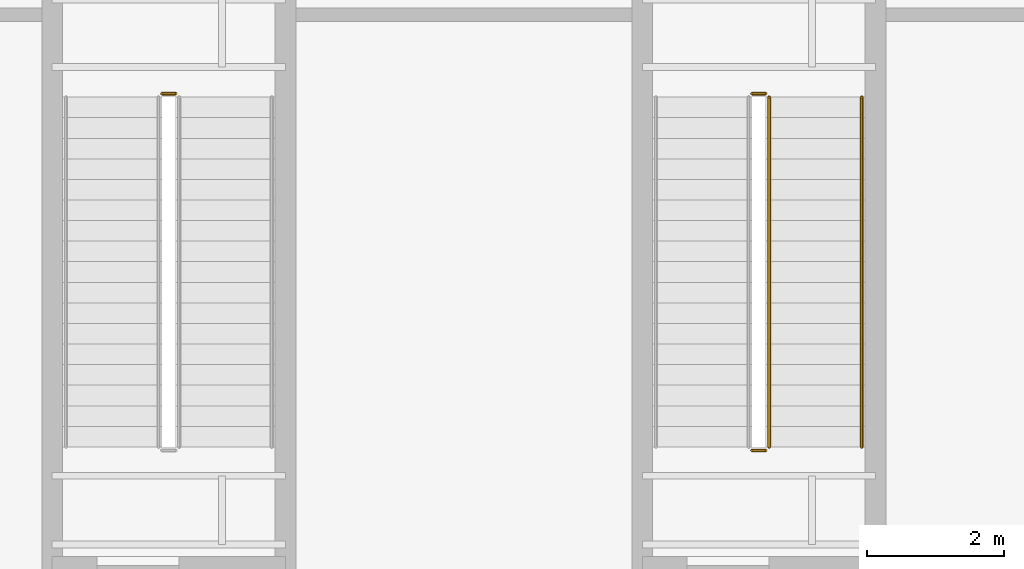
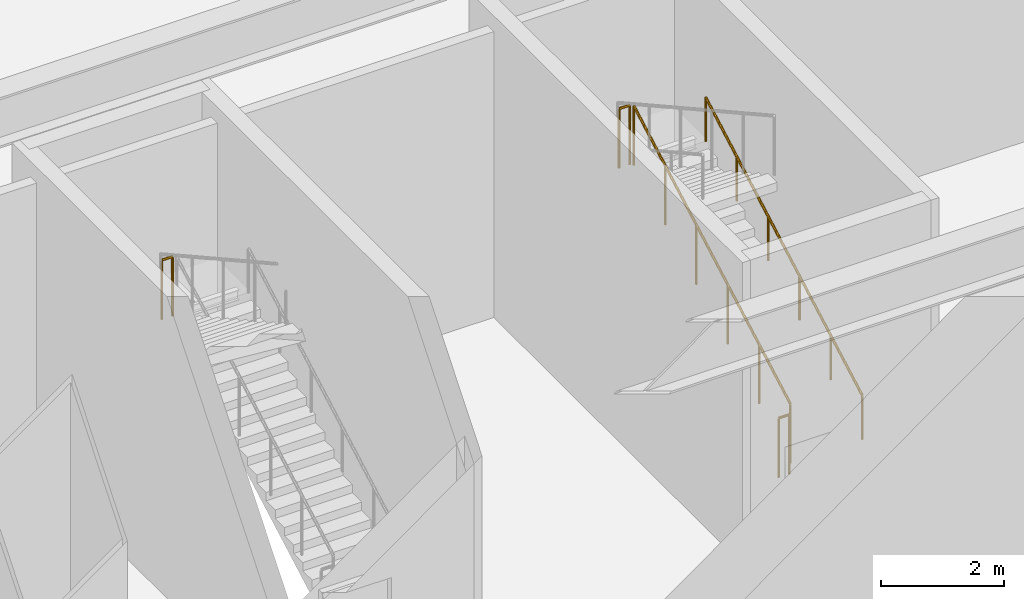
# One storey, part 15 of 20: 5 railings.
"""IFC4 building model written with IfcOpenShell, lengths in metres."""

import ifcopenshell
import ifcopenshell.guid

model = None  # the IFC model being written
_history = None  # IfcOwnerHistory: only IFC2X3 demands one
_inside = {}  # id of a spatial element -> (the spatial element, [elements in it])
_under = {}  # id of a project, library or spatial element -> (it, [spatial elements below it])
_declared = {}  # id of a project -> (the project, [libraries it declares])
_typed = {}  # id of a type object -> (the type object, [elements of that type])
_made_of = {}  # id of a material, layer set ... -> (it, [elements and type objects made of it])


def new_model(schema):
    """Start an empty IFC model of exactly this schema.

    Asked for "IFC4X3", IfcOpenShell would pick the latest addendum, in which some entities
    have other attributes; the version numbers below select the first issue.
    IFC2X3 requires an IfcOwnerHistory on every rooted entity: one is made here for all.
    """
    global model, _history
    if schema == "IFC4X3":
        model = ifcopenshell.file(schema_version=(4, 3, 0, 0))
    else:
        model = ifcopenshell.file(schema=schema)
    _inside.clear()
    _under.clear()
    _declared.clear()
    _typed.clear()
    _made_of.clear()
    _history = None
    if model.schema == "IFC2X3":
        org = make("IfcOrganization", Name="unknown")
        user = make(
            "IfcPersonAndOrganization",
            ThePerson=make("IfcPerson", FamilyName="unknown"),
            TheOrganization=org,
        )
        app = make(
            "IfcApplication",
            ApplicationDeveloper=org,
            Version="unknown",
            ApplicationFullName="unknown",
            ApplicationIdentifier="unknown",
        )
        _history = make(
            "IfcOwnerHistory",
            OwningUser=user,
            OwningApplication=app,
            ChangeAction="ADDED",
            CreationDate=0,
        )
    return model


def make(cls, **values):
    """One entity of the class cls with the attributes given. An attribute that is None is left unset."""
    return model.create_entity(
        cls, **{name: value for name, value in values.items() if value is not None}
    )


def rooted(cls, **values):
    """An entity with a GlobalId (a new one), such as an element, a storey or a relation."""
    return make(cls, GlobalId=ifcopenshell.guid.new(), OwnerHistory=_history, **values)


def si_unit(unit_type, name, prefix=None):
    """IfcSIUnit, for example si_unit("LENGTHUNIT", "METRE", prefix="MILLI")."""
    return make("IfcSIUnit", UnitType=unit_type, Prefix=prefix, Name=name)


def assignment(units):
    """IfcUnitAssignment: the units of a project."""
    return None if units is None else make("IfcUnitAssignment", Units=units)


def point(xyz):
    """IfcCartesianPoint."""
    return None if xyz is None else make("IfcCartesianPoint", Coordinates=xyz)


def direction(xyz):
    """IfcDirection."""
    return None if xyz is None else make("IfcDirection", DirectionRatios=xyz)


def frame(location, z_axis=None, x_axis=None):
    """IfcAxis2Placement3D, a coordinate frame: its origin and axes. An axis left out is left unset."""
    return make(
        "IfcAxis2Placement3D",
        Location=point(location),
        Axis=direction(z_axis),
        RefDirection=direction(x_axis),
    )


def frame_2d(location, x_axis=None):
    """IfcAxis2Placement2D, a coordinate frame in the plane: its origin and x axis."""
    return make(
        "IfcAxis2Placement2D", Location=point(location), RefDirection=direction(x_axis)
    )


def origin():
    """The frame at (0, 0, 0) with its axes left unset."""
    return frame((0.0, 0.0, 0.0))


def origin_2d():
    """The frame at (0, 0) in the plane with its x axis left unset."""
    return frame_2d((0.0, 0.0))


def place(relative_to, where):
    """IfcLocalPlacement: puts the frame where relative to a parent placement (None: the world)."""
    return make(
        "IfcLocalPlacement", PlacementRelTo=relative_to, RelativePlacement=where
    )


def context(
    kind, dimensions, precision=None, world=None, true_north=None, identifier=None
):
    """IfcGeometricRepresentationContext, for example the 3D "Model" context."""
    return make(
        "IfcGeometricRepresentationContext",
        ContextIdentifier=identifier,
        ContextType=kind,
        CoordinateSpaceDimension=dimensions,
        Precision=precision,
        WorldCoordinateSystem=world,
        TrueNorth=true_north,
    )


def subcontext(parent, identifier, kind, view, scale=None):
    """IfcGeometricRepresentationSubContext, for example "Body" below "Model"."""
    return make(
        "IfcGeometricRepresentationSubContext",
        ContextIdentifier=identifier,
        ContextType=kind,
        ParentContext=parent,
        TargetScale=scale,
        TargetView=view,
    )


def project(units=None, contexts=None):
    """IfcProject with its units and contexts."""
    return rooted(
        "IfcProject",
        Name="project",
        RepresentationContexts=contexts,
        UnitsInContext=assignment(units),
    )


def spatial(cls, under=None, at=None, **own):
    """A site, building, storey or space (cls), placed at a placement, below another one or the project."""
    s = rooted(cls, ObjectPlacement=at, **own)
    if under is not None:
        _under.setdefault(under.id(), (under, []))[1].append(s)
    return s


def profile(cls, at=None, kind="AREA", **sizes):
    """A parametric profile (cls). Its sizes go by their IFC names, for example OverallWidth=200.0."""
    return make(cls, ProfileType=kind, Position=at, **sizes)


def circle(**sizes):
    """IfcCircleProfileDef."""
    return profile("IfcCircleProfileDef", **sizes)


def extrude(swept, where, along, depth):
    """IfcExtrudedAreaSolid: the profile swept, set in the frame where, extruded along a direction by depth."""
    return make(
        "IfcExtrudedAreaSolid",
        SweptArea=swept,
        Position=where,
        ExtrudedDirection=direction(along),
        Depth=depth,
    )


def shape(context_of_items, identifier, shape_type, items):
    """IfcShapeRepresentation: the items that make up one representation, for example the "Body"."""
    return make(
        "IfcShapeRepresentation",
        ContextOfItems=context_of_items,
        RepresentationIdentifier=identifier,
        RepresentationType=shape_type,
        Items=items,
    )


def material(Name=None, Category=None):
    """IfcMaterial."""
    return make("IfcMaterial", Name=Name, Category=Category)


def made_of(thing, what):
    """Note that an element or type object is made of a material, layer set ...; save() writes the relation."""
    if what is not None:
        _made_of.setdefault(what.id(), (what, []))[1].append(thing)
    return thing


def type_object(cls, material=None, **own):
    """A type object (cls), such as IfcWallType, which elements share."""
    return made_of(rooted(cls, **own), material)


def element(
    cls,
    number,
    at=None,
    inside=None,
    cuts=None,
    type_object=None,
    material=None,
    context=None,
    identifier="Body",
    shape_type=None,
    held_by="IfcProductDefinitionShape",
    body=None,
    shapes=None,
    **own,
):
    """One element of the class cls, such as IfcWall. Its Tag is "e" and its number.

    at: its placement. inside: the storey or other place that contains it. cuts: it is an
    opening in that element (IfcRelVoidsElement). A single representation is given by context,
    identifier, shape_type and body (its items); several are given by shapes. held_by: the class
    of the entity that holds the representations. save() writes the other relations.
    """
    e = rooted(cls, Tag="e%d" % number, ObjectPlacement=at, **own)
    if body is not None:
        shapes = [shape(context, identifier, shape_type, body)]
    if shapes is not None:
        e.Representation = make(held_by, Representations=shapes)
    if inside is not None:
        _inside.setdefault(inside.id(), (inside, []))[1].append(e)
    if cuts is not None:
        rooted(
            "IfcRelVoidsElement", RelatingBuildingElement=cuts, RelatedOpeningElement=e
        )
    if type_object is not None:
        _typed.setdefault(type_object.id(), (type_object, []))[1].append(e)
    return made_of(e, material)


def aggregate(whole, parts):
    """IfcRelAggregates: a whole, such as a stair, and the parts it consists of."""
    return rooted("IfcRelAggregates", RelatingObject=whole, RelatedObjects=parts)


def save(model, path):
    """Write the relations noted so far, then the file.

    IfcRelAggregates (storeys below a building ...), IfcRelContainedInSpatialStructure (elements
    in a storey), IfcRelDefinesByType, IfcRelAssociatesMaterial and IfcRelDeclares: one each for
    every whole, place, type object, material and project.
    """
    for whole, parts in _under.values():
        aggregate(whole, parts)
    for where, things in _inside.values():
        rooted(
            "IfcRelContainedInSpatialStructure",
            RelatedElements=things,
            RelatingStructure=where,
        )
    for kind, things in _typed.values():
        rooted("IfcRelDefinesByType", RelatedObjects=things, RelatingType=kind)
    for what, things in _made_of.values():
        rooted("IfcRelAssociatesMaterial", RelatedObjects=things, RelatingMaterial=what)
    for by, libraries in _declared.values():
        rooted("IfcRelDeclares", RelatingContext=by, RelatedDefinitions=libraries)
    model.write(path)


model = new_model("IFC4")

# Units and contexts
model_context = context("Model", 3, precision=1e-05, world=origin(), true_north=direction((0.0, 1.0)))
body_context = subcontext(model_context, "Body", "Model", "MODEL_VIEW")
ifc_project = project(units=[si_unit("LENGTHUNIT", "METRE"), si_unit("AREAUNIT", "SQUARE_METRE"), si_unit("VOLUMEUNIT", "CUBIC_METRE"), si_unit("PLANEANGLEUNIT", "RADIAN"), si_unit("MASSUNIT", "GRAM", prefix="KILO")], contexts=[model_context])

# Site, building, storey
site_placement = place(None, origin())
site = spatial("IfcSite", under=ifc_project, at=site_placement, CompositionType="ELEMENT")
building_placement = place(site_placement, origin())
building = spatial("IfcBuilding", under=site, at=building_placement, Name="Qiaolan Cultural Towers", CompositionType="ELEMENT")
storey_placement = place(building_placement, frame((0.0, 0.0, -6.0)))
storey = spatial("IfcBuildingStorey", under=building, at=storey_placement, Name="B1", CompositionType="ELEMENT", Elevation=-6.0)

# Railings
ifc_material_1 = material(Name="Galvanized Painted Steel Stair Guardrail", Category="steel")
railing_type_1 = type_object("IfcRailingType", Name="RL-STAIR-GRD", PredefinedType="GUARDRAIL", material=ifc_material_1)
railing_1_placement = place(storey_placement, frame((51.949951171875, 10.35009765625, 3.0)))
element("IfcRailing", 1, at=railing_1_placement, inside=storey, type_object=railing_type_1, Name="B1 ST-M1 stair guard 2", PredefinedType="GUARDRAIL", context=body_context, shape_type="SweptSolid", body=[
    extrude(circle(Radius=0.02392578125, at=origin_2d()), frame((0.0, 0.0, 1.17578125), z_axis=(-1.0, 0.0, 0.0), x_axis=(0.0, -1.0, 0.0)), (0.0, 0.0, 1.0), 0.199951171875),
    extrude(circle(Radius=0.02099609375, at=origin_2d()), origin(), (0.0, 0.0, 1.0), 1.15185546875),
    extrude(circle(Radius=0.02099609375, at=origin_2d()), frame((-0.199951171875, 0.0, 0.0)), (0.0, 0.0, 1.0), 1.15185546875),
])
railing_2_placement = place(storey_placement, frame((60.60009765625, 5.199951171875, 0.166748046875)))
element("IfcRailing", 2, at=railing_2_placement, inside=storey, type_object=railing_type_1, Name="B1 ST-M2 stair guard 1", PredefinedType="GUARDRAIL", context=body_context, shape_type="SweptSolid", body=[
    extrude(circle(Radius=0.02392578125, at=origin_2d()), frame((0.0, 0.0, 1.17578125), z_axis=(0.0, 0.874167145328, 0.485625166182), x_axis=(-1.0, 0.0, 0.0)), (0.0, 0.0, 1.0), 5.834228515625),
    extrude(circle(Radius=0.02099609375, at=origin_2d()), origin(), (0.0, 0.0, 1.0), 1.15185546875),
    extrude(circle(Radius=0.02099609375, at=origin_2d()), frame((0.0, 1.02001953125, 0.566650390625)), (0.0, 0.0, 1.0), 1.15185546875),
    extrude(circle(Radius=0.02099609375, at=origin_2d()), frame((0.0, 2.0400390625, 1.13330078125)), (0.0, 0.0, 1.0), 1.15185546875),
    extrude(circle(Radius=0.02099609375, at=origin_2d()), frame((0.0, 3.06005859375, 1.699951171875)), (0.0, 0.0, 1.0), 1.15185546875),
    extrude(circle(Radius=0.02099609375, at=origin_2d()), frame((0.0, 4.080078125, 2.2666015625)), (0.0, 0.0, 1.0), 1.15185546875),
    extrude(circle(Radius=0.02099609375, at=origin_2d()), frame((0.0, 5.10009765625, 2.833251953125)), (0.0, 0.0, 1.0), 1.15185546875),
])
for number, where, name in (
    (3, (60.550048828125, 10.35009765625, 3.0), "B1 ST-M2 stair guard 2"),
    (4, (60.550048828125, 5.14990234375, 0.0), "B1 ST-M2 stair guard 4"),
):
    element("IfcRailing", number, at=place(storey_placement, frame(where)), inside=storey, type_object=railing_type_1, Name=name, PredefinedType="GUARDRAIL", context=body_context, shape_type="SweptSolid", body=[
        extrude(circle(Radius=0.02392578125, at=origin_2d()), frame((0.0, 0.0, 1.17578125), z_axis=(-1.0, 0.0, 0.0), x_axis=(0.0, -1.0, 0.0)), (0.0, 0.0, 1.0), 0.199951171875),
        extrude(circle(Radius=0.02099609375, at=origin_2d()), origin(), (0.0, 0.0, 1.0), 1.15185546875),
        extrude(circle(Radius=0.02099609375, at=origin_2d()), frame((-0.199951171875, 0.0, 0.0)), (0.0, 0.0, 1.0), 1.15185546875),
    ])
ifc_material_2 = material(Name="Stainless Steel S30408 Tubular Handrail", Category="steel")
railing_type_2 = type_object("IfcRailingType", Name="RL-STAIR-HR", PredefinedType="HANDRAIL", material=ifc_material_2)
railing_3_placement = place(storey_placement, frame((61.949951171875, 5.199951171875, 0.166748046875)))
element("IfcRailing", 5, at=railing_3_placement, inside=storey, type_object=railing_type_2, Name="B1 ST-M2 stair handrail 1", PredefinedType="HANDRAIL", context=body_context, shape_type="SweptSolid", body=[
    extrude(circle(Radius=0.02392578125, at=origin_2d()), frame((0.0, 0.0, 0.8759765625), z_axis=(0.0, 0.874167145328, 0.485625166182), x_axis=(-1.0, 0.0, 0.0)), (0.0, 0.0, 1.0), 5.834228515625),
    extrude(circle(Radius=0.02099609375, at=origin_2d()), origin(), (0.0, 0.0, 1.0), 0.851806640625),
    extrude(circle(Radius=0.02099609375, at=origin_2d()), frame((0.0, 1.02001953125, 0.566650390625)), (0.0, 0.0, 1.0), 0.851806640625),
    extrude(circle(Radius=0.02099609375, at=origin_2d()), frame((0.0, 2.0400390625, 1.13330078125)), (0.0, 0.0, 1.0), 0.851806640625),
    extrude(circle(Radius=0.02099609375, at=origin_2d()), frame((0.0, 3.06005859375, 1.699951171875)), (0.0, 0.0, 1.0), 0.851806640625),
    extrude(circle(Radius=0.02099609375, at=origin_2d()), frame((0.0, 4.080078125, 2.2666015625)), (0.0, 0.0, 1.0), 0.851806640625),
    extrude(circle(Radius=0.02099609375, at=origin_2d()), frame((0.0, 5.10009765625, 2.833251953125)), (0.0, 0.0, 1.0), 0.851806640625),
])

save(model, "model.ifc")
